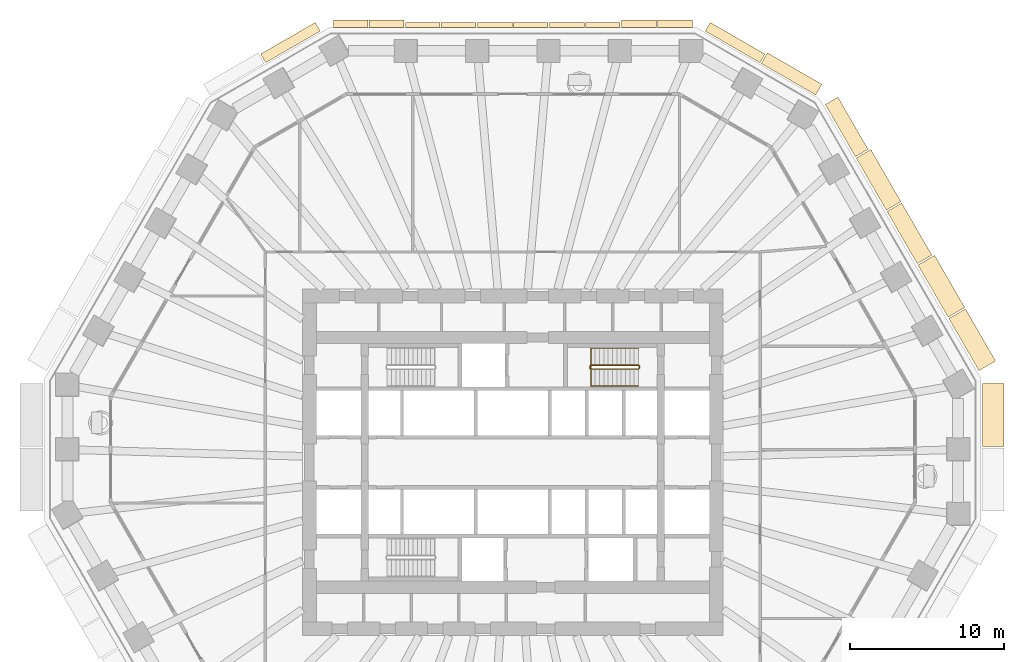
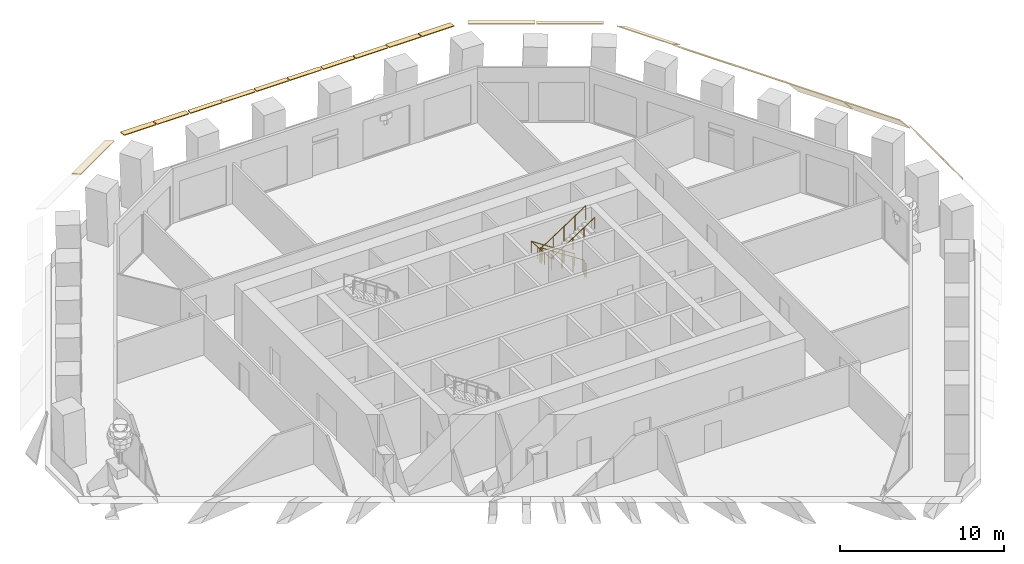
# One storey, part 10 of 12: 19 coverings, 2 railings.
"""IFC4 building model written with IfcOpenShell, lengths in metres."""

import ifcopenshell
import ifcopenshell.guid

model = None  # the IFC model being written
_history = None  # IfcOwnerHistory: only IFC2X3 demands one
_inside = {}  # id of a spatial element -> (the spatial element, [elements in it])
_under = {}  # id of a project, library or spatial element -> (it, [spatial elements below it])
_declared = {}  # id of a project -> (the project, [libraries it declares])
_typed = {}  # id of a type object -> (the type object, [elements of that type])
_made_of = {}  # id of a material, layer set ... -> (it, [elements and type objects made of it])


def new_model(schema):
    """Start an empty IFC model of exactly this schema.

    Asked for "IFC4X3", IfcOpenShell would pick the latest addendum, in which some entities
    have other attributes; the version numbers below select the first issue.
    IFC2X3 requires an IfcOwnerHistory on every rooted entity: one is made here for all.
    """
    global model, _history
    if schema == "IFC4X3":
        model = ifcopenshell.file(schema_version=(4, 3, 0, 0))
    else:
        model = ifcopenshell.file(schema=schema)
    _inside.clear()
    _under.clear()
    _declared.clear()
    _typed.clear()
    _made_of.clear()
    _history = None
    if model.schema == "IFC2X3":
        org = make("IfcOrganization", Name="unknown")
        user = make(
            "IfcPersonAndOrganization",
            ThePerson=make("IfcPerson", FamilyName="unknown"),
            TheOrganization=org,
        )
        app = make(
            "IfcApplication",
            ApplicationDeveloper=org,
            Version="unknown",
            ApplicationFullName="unknown",
            ApplicationIdentifier="unknown",
        )
        _history = make(
            "IfcOwnerHistory",
            OwningUser=user,
            OwningApplication=app,
            ChangeAction="ADDED",
            CreationDate=0,
        )
    return model


def make(cls, **values):
    """One entity of the class cls with the attributes given. An attribute that is None is left unset."""
    return model.create_entity(
        cls, **{name: value for name, value in values.items() if value is not None}
    )


def rooted(cls, **values):
    """An entity with a GlobalId (a new one), such as an element, a storey or a relation."""
    return make(cls, GlobalId=ifcopenshell.guid.new(), OwnerHistory=_history, **values)


def si_unit(unit_type, name, prefix=None):
    """IfcSIUnit, for example si_unit("LENGTHUNIT", "METRE", prefix="MILLI")."""
    return make("IfcSIUnit", UnitType=unit_type, Prefix=prefix, Name=name)


def assignment(units):
    """IfcUnitAssignment: the units of a project."""
    return None if units is None else make("IfcUnitAssignment", Units=units)


def point(xyz):
    """IfcCartesianPoint."""
    return None if xyz is None else make("IfcCartesianPoint", Coordinates=xyz)


def direction(xyz):
    """IfcDirection."""
    return None if xyz is None else make("IfcDirection", DirectionRatios=xyz)


def frame(location, z_axis=None, x_axis=None):
    """IfcAxis2Placement3D, a coordinate frame: its origin and axes. An axis left out is left unset."""
    return make(
        "IfcAxis2Placement3D",
        Location=point(location),
        Axis=direction(z_axis),
        RefDirection=direction(x_axis),
    )


def frame_2d(location, x_axis=None):
    """IfcAxis2Placement2D, a coordinate frame in the plane: its origin and x axis."""
    return make(
        "IfcAxis2Placement2D", Location=point(location), RefDirection=direction(x_axis)
    )


def origin():
    """The frame at (0, 0, 0) with its axes left unset."""
    return frame((0.0, 0.0, 0.0))


def origin_2d():
    """The frame at (0, 0) in the plane with its x axis left unset."""
    return frame_2d((0.0, 0.0))


def place(relative_to, where):
    """IfcLocalPlacement: puts the frame where relative to a parent placement (None: the world)."""
    return make(
        "IfcLocalPlacement", PlacementRelTo=relative_to, RelativePlacement=where
    )


def context(
    kind, dimensions, precision=None, world=None, true_north=None, identifier=None
):
    """IfcGeometricRepresentationContext, for example the 3D "Model" context."""
    return make(
        "IfcGeometricRepresentationContext",
        ContextIdentifier=identifier,
        ContextType=kind,
        CoordinateSpaceDimension=dimensions,
        Precision=precision,
        WorldCoordinateSystem=world,
        TrueNorth=true_north,
    )


def subcontext(parent, identifier, kind, view, scale=None):
    """IfcGeometricRepresentationSubContext, for example "Body" below "Model"."""
    return make(
        "IfcGeometricRepresentationSubContext",
        ContextIdentifier=identifier,
        ContextType=kind,
        ParentContext=parent,
        TargetScale=scale,
        TargetView=view,
    )


def project(units=None, contexts=None):
    """IfcProject with its units and contexts."""
    return rooted(
        "IfcProject",
        Name="project",
        RepresentationContexts=contexts,
        UnitsInContext=assignment(units),
    )


def spatial(cls, under=None, at=None, **own):
    """A site, building, storey or space (cls), placed at a placement, below another one or the project."""
    s = rooted(cls, ObjectPlacement=at, **own)
    if under is not None:
        _under.setdefault(under.id(), (under, []))[1].append(s)
    return s


def polyline(points):
    """IfcPolyline through the points."""
    return make("IfcPolyline", Points=[point(p) for p in points])


def profile(cls, at=None, kind="AREA", **sizes):
    """A parametric profile (cls). Its sizes go by their IFC names, for example OverallWidth=200.0."""
    return make(cls, ProfileType=kind, Position=at, **sizes)


def circle(**sizes):
    """IfcCircleProfileDef."""
    return profile("IfcCircleProfileDef", **sizes)


def outline(outer, holes=None, kind="AREA"):
    """IfcArbitraryClosedProfileDef: a profile drawn as a closed curve; with holes, ...WithVoids."""
    if holes is None:
        return make("IfcArbitraryClosedProfileDef", ProfileType=kind, OuterCurve=outer)
    return make(
        "IfcArbitraryProfileDefWithVoids",
        ProfileType=kind,
        OuterCurve=outer,
        InnerCurves=holes,
    )


def extrude(swept, where, along, depth):
    """IfcExtrudedAreaSolid: the profile swept, set in the frame where, extruded along a direction by depth."""
    return make(
        "IfcExtrudedAreaSolid",
        SweptArea=swept,
        Position=where,
        ExtrudedDirection=direction(along),
        Depth=depth,
    )


def shape(context_of_items, identifier, shape_type, items):
    """IfcShapeRepresentation: the items that make up one representation, for example the "Body"."""
    return make(
        "IfcShapeRepresentation",
        ContextOfItems=context_of_items,
        RepresentationIdentifier=identifier,
        RepresentationType=shape_type,
        Items=items,
    )


def material(Name=None, Category=None):
    """IfcMaterial."""
    return make("IfcMaterial", Name=Name, Category=Category)


def layer(
    of_material, thickness, ventilated=None, Name=None, Category=None, Priority=None
):
    """IfcMaterialLayer: one layer of a wall or slab, of a material (None: an air gap)."""
    return make(
        "IfcMaterialLayer",
        Material=of_material,
        LayerThickness=thickness,
        IsVentilated=ventilated,
        Name=Name,
        Category=Category,
        Priority=Priority,
    )


def layer_set(layers, Name=None):
    """IfcMaterialLayerSet."""
    return make("IfcMaterialLayerSet", MaterialLayers=layers, LayerSetName=Name)


def made_of(thing, what):
    """Note that an element or type object is made of a material, layer set ...; save() writes the relation."""
    if what is not None:
        _made_of.setdefault(what.id(), (what, []))[1].append(thing)
    return thing


def type_object(cls, material=None, **own):
    """A type object (cls), such as IfcWallType, which elements share."""
    return made_of(rooted(cls, **own), material)


def element(
    cls,
    number,
    at=None,
    inside=None,
    cuts=None,
    type_object=None,
    material=None,
    context=None,
    identifier="Body",
    shape_type=None,
    held_by="IfcProductDefinitionShape",
    body=None,
    shapes=None,
    **own,
):
    """One element of the class cls, such as IfcWall. Its Tag is "e" and its number.

    at: its placement. inside: the storey or other place that contains it. cuts: it is an
    opening in that element (IfcRelVoidsElement). A single representation is given by context,
    identifier, shape_type and body (its items); several are given by shapes. held_by: the class
    of the entity that holds the representations. save() writes the other relations.
    """
    e = rooted(cls, Tag="e%d" % number, ObjectPlacement=at, **own)
    if body is not None:
        shapes = [shape(context, identifier, shape_type, body)]
    if shapes is not None:
        e.Representation = make(held_by, Representations=shapes)
    if inside is not None:
        _inside.setdefault(inside.id(), (inside, []))[1].append(e)
    if cuts is not None:
        rooted(
            "IfcRelVoidsElement", RelatingBuildingElement=cuts, RelatedOpeningElement=e
        )
    if type_object is not None:
        _typed.setdefault(type_object.id(), (type_object, []))[1].append(e)
    return made_of(e, material)


def aggregate(whole, parts):
    """IfcRelAggregates: a whole, such as a stair, and the parts it consists of."""
    return rooted("IfcRelAggregates", RelatingObject=whole, RelatedObjects=parts)


def save(model, path):
    """Write the relations noted so far, then the file.

    IfcRelAggregates (storeys below a building ...), IfcRelContainedInSpatialStructure (elements
    in a storey), IfcRelDefinesByType, IfcRelAssociatesMaterial and IfcRelDeclares: one each for
    every whole, place, type object, material and project.
    """
    for whole, parts in _under.values():
        aggregate(whole, parts)
    for where, things in _inside.values():
        rooted(
            "IfcRelContainedInSpatialStructure",
            RelatedElements=things,
            RelatingStructure=where,
        )
    for kind, things in _typed.values():
        rooted("IfcRelDefinesByType", RelatedObjects=things, RelatingType=kind)
    for what, things in _made_of.values():
        rooted("IfcRelAssociatesMaterial", RelatedObjects=things, RelatingMaterial=what)
    for by, libraries in _declared.values():
        rooted("IfcRelDeclares", RelatingContext=by, RelatedDefinitions=libraries)
    model.write(path)


model = new_model("IFC4")

# Units and contexts
model_context = context("Model", 3, precision=1e-05, world=origin(), true_north=direction((0.0, 1.0)))
body_context = subcontext(model_context, "Body", "Model", "MODEL_VIEW")
ifc_project = project(units=[si_unit("LENGTHUNIT", "METRE"), si_unit("AREAUNIT", "SQUARE_METRE"), si_unit("VOLUMEUNIT", "CUBIC_METRE"), si_unit("PLANEANGLEUNIT", "RADIAN"), si_unit("MASSUNIT", "GRAM", prefix="KILO")], contexts=[model_context])

# Site, building, storey
site_placement = place(None, origin())
site = spatial("IfcSite", under=ifc_project, at=site_placement, CompositionType="ELEMENT")
building_placement = place(site_placement, origin())
building = spatial("IfcBuilding", under=site, at=building_placement, Name="Frailejon Research Tower", CompositionType="ELEMENT")
storey_placement = place(building_placement, frame((0.0, 0.0, 41.0)))
storey = spatial("IfcBuildingStorey", under=building, at=storey_placement, Name="L09", CompositionType="ELEMENT", Elevation=41.0)

# Coverings
ifc_material_1 = material(Name="Precast concrete C50/60", Category="concrete")
ifc_layer_1 = layer(ifc_material_1, 0.06005859375)
ifc_layer_set_1 = layer_set([ifc_layer_1], Name="Brim blade depth 1100")
covering_type_1 = type_object("IfcCoveringType", Name="Brim blade depth 1100", PredefinedType="CLADDING", material=ifc_layer_set_1)
covering_1_placement = place(storey_placement, frame((24.282958984375, 16.2763671875, 4.25), z_axis=(0.49999743218, -0.866026886311, 0.0), x_axis=(0.866026886311, 0.49999743218, 0.0)))
element("IfcCovering", 1, at=covering_1_placement, inside=storey, type_object=covering_type_1, Name="Brim blade L09", PredefinedType="CLADDING", context=body_context, shape_type="SweptSolid", body=[
    extrude(outline(polyline([(0.0, -0.078369140625), (1.10009765625, -1.001220703125), (1.10009765625, -0.923095703125), (0.0, 0.0), (0.0, -0.078369140625)])), origin(), (0.0, 0.0, 1.0), 3.908447265625),
])
covering_2_placement = place(storey_placement, frame((22.27880859375, 19.747802734375, 4.25), z_axis=(0.500008235109, -0.86602064919, 0.0), x_axis=(0.86602064919, 0.500008235109, 0.0)))
element("IfcCovering", 2, at=covering_2_placement, inside=storey, type_object=covering_type_1, Name="Brim blade L09", PredefinedType="CLADDING", context=body_context, shape_type="SweptSolid", body=[
    extrude(outline(polyline([(0.0, -0.078369140625), (1.10009765625, -1.001220703125), (1.10009765625, -0.923095703125), (0.0, 0.0), (0.0, -0.078369140625)])), origin(), (0.0, 0.0, 1.0), 3.908203125),
])
ifc_material_2 = material(Name="Precast concrete C50/60", Category="concrete")
ifc_layer_2 = layer(ifc_material_2, 0.06005859375)
ifc_layer_set_2 = layer_set([ifc_layer_2], Name="Brim blade depth 1250")
covering_type_2 = type_object("IfcCoveringType", Name="Brim blade depth 1250", PredefinedType="CLADDING", material=ifc_layer_set_2)
for number, where, z_axis, x_axis, name in (
    (3, (28.29150390625, 9.33349609375, 4.25), (0.49999743218, -0.866026886311, 0.0), (0.866026886311, 0.49999743218, 0.0), "Brim blade L09"),
    (4, (26.287109375, 12.804931640625, 4.25), (0.49999743218, -0.866026886311, 0.0), (0.866026886311, 0.49999743218, 0.0), "Brim blade L09"),
):
    element("IfcCovering", number, at=place(storey_placement, frame(where, z_axis=z_axis, x_axis=x_axis)), inside=storey, type_object=covering_type_2, Name=name, PredefinedType="CLADDING", context=body_context, shape_type="SweptSolid", body=[
        extrude(outline(polyline([(0.0, -0.0888671875), (1.25, -1.452880859375), (1.25, -1.364013671875), (0.0, 0.0), (0.0, -0.0888671875)])), origin(), (0.0, 0.0, 1.0), 3.908447265625),
    ])
ifc_material_3 = material(Name="Precast concrete C50/60", Category="concrete")
ifc_layer_3 = layer(ifc_material_3, 0.06005859375)
ifc_layer_set_3 = layer_set([ifc_layer_3], Name="Brim blade depth 1400")
covering_type_3 = type_object("IfcCoveringType", Name="Brim blade depth 1400", PredefinedType="CLADDING", material=ifc_layer_set_3)
covering_3_placement = place(storey_placement, frame((30.4716796875, 5.10546875, 4.25), z_axis=(0.0, -1.0, 0.0), x_axis=(1.0, 0.0, 0.0)))
element("IfcCovering", 5, at=covering_3_placement, inside=storey, type_object=covering_type_3, Name="Brim blade L09", PredefinedType="CLADDING", context=body_context, shape_type="SweptSolid", body=[
    extrude(outline(polyline([(0.0, -0.1044921875), (1.39990234375, -2.10400390625), (1.39990234375, -1.99951171875), (0.0, 0.0), (0.0, -0.1044921875)])), origin(), (0.0, 0.0, 1.0), 4.087646484375),
])
ifc_material_4 = material(Name="Precast concrete C50/60", Category="concrete")
ifc_layer_4 = layer(ifc_material_4, 0.06005859375)
ifc_layer_set_4 = layer_set([ifc_layer_4], Name="Brim blade depth 350")
covering_type_4 = type_object("IfcCoveringType", Name="Brim blade depth 350", PredefinedType="CLADDING", material=ifc_layer_set_4)
for number, where, z_axis, x_axis, name in (
    (6, (4.708984375, 28.199951171875, 4.25), (1.0, 0.0, 0.0), (0.0, 1.0, 0.0), "Brim blade L09"),
    (7, (2.389404296875, 28.199951171875, 4.25), (1.0, 0.0, 0.0), (0.0, 1.0, 0.0), "Brim blade L09"),
    (8, (0.030029296875, 28.199951171875, 4.25), (1.0, 0.0, 0.0), (0.0, 1.0, 0.0), "Brim blade L09"),
    (9, (-2.28955078125, 28.199951171875, 4.25), (1.0, 0.0, 0.0), (0.0, 1.0, 0.0), "Brim blade L09"),
    (10, (-4.64892578125, 28.199951171875, 4.25), (1.0, 0.0, 0.0), (0.0, 1.0, 0.0), "Brim blade L09"),
    (11, (-6.968505859375, 28.199951171875, 4.25), (1.0, 0.0, 0.0), (0.0, 1.0, 0.0), "Brim blade L09"),
):
    element("IfcCovering", number, at=place(storey_placement, frame(where, z_axis=z_axis, x_axis=x_axis)), inside=storey, type_object=covering_type_4, Name=name, PredefinedType="CLADDING", context=body_context, shape_type="SweptSolid", body=[
        extrude(outline(polyline([(0.0, -0.06005859375), (0.35009765625, -0.06005859375), (0.35009765625, 0.0), (0.0, 0.0), (0.0, -0.06005859375)])), origin(), (0.0, 0.0, 1.0), 2.259521484375),
    ])
ifc_material_5 = material(Name="Precast concrete C50/60", Category="concrete")
ifc_layer_5 = layer(ifc_material_5, 0.06005859375)
ifc_layer_set_5 = layer_set([ifc_layer_5], Name="Brim blade depth 500")
covering_type_5 = type_object("IfcCoveringType", Name="Brim blade depth 500", PredefinedType="CLADDING", material=ifc_layer_set_5)
for number, where, z_axis, x_axis, name in (
    (12, (9.387939453125, 28.199951171875, 4.25), (1.0, 0.0, 0.0), (0.0, 1.0, 0.0), "Brim blade L09"),
    (13, (7.068603515625, 28.199951171875, 4.25), (1.0, 0.0, 0.0), (0.0, 1.0, 0.0), "Brim blade L09"),
    (14, (-9.327880859375, 28.199951171875, 4.25), (1.0, 0.0, 0.0), (0.0, 1.0, 0.0), "Brim blade L09"),
    (15, (-11.6474609375, 28.199951171875, 4.25), (1.0, 0.0, 0.0), (0.0, 1.0, 0.0), "Brim blade L09"),
):
    element("IfcCovering", number, at=place(storey_placement, frame(where, z_axis=z_axis, x_axis=x_axis)), inside=storey, type_object=covering_type_5, Name=name, PredefinedType="CLADDING", context=body_context, shape_type="SweptSolid", body=[
        extrude(outline(polyline([(0.0, -0.060546875), (0.5, -0.130859375), (0.5, -0.0703125), (0.0, 0.0), (0.0, -0.060546875)])), origin(), (0.0, 0.0, 1.0), 2.259521484375),
    ])
ifc_material_6 = material(Name="Precast concrete C50/60", Category="concrete")
ifc_layer_6 = layer(ifc_material_6, 0.06005859375)
ifc_layer_set_6 = layer_set([ifc_layer_6], Name="Brim blade depth 650")
covering_type_6 = type_object("IfcCoveringType", Name="Brim blade depth 650", PredefinedType="CLADDING", material=ifc_layer_set_6)
for number, where, z_axis, x_axis, name in (
    (16, (12.49072265625, 27.97412109375, 4.25), (0.866027315287, -0.499996689166, 0.0), (0.499996689166, 0.866027315287, 0.0), "Brim blade L09"),
    (17, (-16.03076171875, 25.93017578125, 4.25), (0.866027315287, 0.499996689166, 0.0), (-0.499996689166, 0.866027315287, 0.0), "Brim blade L09"),
):
    element("IfcCovering", number, at=place(storey_placement, frame(where, z_axis=z_axis, x_axis=x_axis)), inside=storey, type_object=covering_type_6, Name=name, PredefinedType="CLADDING", context=body_context, shape_type="SweptSolid", body=[
        extrude(outline(polyline([(0.0, -0.0625), (0.64990234375, -0.248779296875), (0.64990234375, -0.186279296875), (0.0, 0.0), (0.0, -0.0625)])), origin(), (0.0, 0.0, 1.0), 4.087646484375),
    ])
ifc_material_7 = material(Name="Precast concrete C50/60", Category="concrete")
ifc_layer_7 = layer(ifc_material_7, 0.06005859375)
ifc_layer_set_7 = layer_set([ifc_layer_7], Name="Brim blade depth 800")
covering_type_7 = type_object("IfcCoveringType", Name="Brim blade depth 800", PredefinedType="CLADDING", material=ifc_layer_set_7)
covering_4_placement = place(storey_placement, frame((16.117431640625, 25.880126953125, 4.25), z_axis=(0.866021344981, -0.500007029989, 0.0), x_axis=(0.500007029989, 0.866021344981, 0.0)))
element("IfcCovering", 18, at=covering_4_placement, inside=storey, type_object=covering_type_7, Name="Brim blade L09", PredefinedType="CLADDING", context=body_context, shape_type="SweptSolid", body=[
    extrude(outline(polyline([(0.0, -0.065673828125), (0.800048828125, -0.421875), (0.800048828125, -0.356201171875), (0.0, 0.0), (0.0, -0.065673828125)])), origin(), (0.0, 0.0, 1.0), 4.08740234375),
])
ifc_material_8 = material(Name="Precast concrete C50/60", Category="concrete")
ifc_layer_8 = layer(ifc_material_8, 0.06005859375)
ifc_layer_set_8 = layer_set([ifc_layer_8], Name="Brim blade depth 950")
covering_type_8 = type_object("IfcCoveringType", Name="Brim blade depth 950", PredefinedType="CLADDING", material=ifc_layer_set_8)
covering_5_placement = place(storey_placement, frame((20.274658203125, 23.218994140625, 4.25), z_axis=(0.49999743218, -0.866026886311, 0.0), x_axis=(0.866026886311, 0.49999743218, 0.0)))
element("IfcCovering", 19, at=covering_5_placement, inside=storey, type_object=covering_type_8, Name="Brim blade L09", PredefinedType="CLADDING", context=body_context, shape_type="SweptSolid", body=[
    extrude(outline(polyline([(0.0, -0.07080078125), (0.949951171875, -0.664306640625), (0.949951171875, -0.593505859375), (0.0, 0.0), (0.0, -0.07080078125)])), origin(), (0.0, 0.0, 1.0), 3.908447265625),
])

# Railings
ifc_material_9 = material(Name="Stainless steel", Category="steel")
railing_type_1 = type_object("IfcRailingType", Name="Stair guard 1100", PredefinedType="GUARDRAIL", material=ifc_material_9)
railing_1_placement = place(storey_placement, frame((8.199951171875, 6.10009765625, 0.0)))
element("IfcRailing", 20, at=railing_1_placement, inside=storey, type_object=railing_type_1, Name="L09 ST3 stair guard 1", PredefinedType="GUARDRAIL", context=body_context, shape_type="SweptSolid", body=[
    extrude(circle(Radius=0.02392578125, at=origin_2d()), frame((0.0, 0.0, 1.076171875), z_axis=(0.0, 1.0, 0.0), x_axis=(-1.0, 0.0, 0.0)), (0.0, 0.0, 1.0), 0.14990234375),
    extrude(circle(Radius=0.02392578125, at=origin_2d()), frame((0.0, 0.14990234375, 1.076171875), z_axis=(-0.254653276557, 0.254653276557, 0.932900539971), x_axis=(-0.707106781187, -0.707106781187, 0.0)), (0.0, 0.0, 1.0), 0.196533203125),
    extrude(circle(Radius=0.02392578125, at=origin_2d()), frame((-0.050048828125, 0.199951171875, 1.25927734375), z_axis=(-0.836613101238, 0.0, 0.547794230379), x_axis=(0.0, -1.0, 0.0)), (0.0, 0.0, 1.0), 3.681396484375),
    extrude(circle(Radius=0.02392578125, at=origin_2d()), frame((-3.1298828125, 0.199951171875, 3.27587890625), z_axis=(-0.707106781187, -0.707106781187, 0.0), x_axis=(0.707106781187, -0.707106781187, 0.0)), (0.0, 0.0, 1.0), 0.07080078125),
    extrude(circle(Radius=0.02392578125, at=origin_2d()), frame((-3.179931640625, 0.14990234375, 3.27587890625), z_axis=(0.0, -1.0, 0.0), x_axis=(1.0, 0.0, 0.0)), (0.0, 0.0, 1.0), 0.14990234375),
    extrude(circle(Radius=0.02392578125, at=origin_2d()), frame((-3.179931640625, 0.0, 3.27587890625), z_axis=(0.254653276557, -0.254653276557, 0.932900539971), x_axis=(0.707106781187, 0.707106781187, 0.0)), (0.0, 0.0, 1.0), 0.196533203125),
    extrude(circle(Radius=0.02392578125, at=origin_2d()), frame((-3.1298828125, -0.050048828125, 3.45947265625), z_axis=(0.836613101238, 0.0, 0.547794230379), x_axis=(0.0, 1.0, 0.0)), (0.0, 0.0, 1.0), 3.681396484375),
    extrude(circle(Radius=0.02099609375, at=origin_2d()), origin(), (0.0, 0.0, 1.0), 1.052001953125),
    extrude(circle(Radius=0.02099609375, at=origin_2d()), frame((0.0, 0.14990234375, 0.0)), (0.0, 0.0, 1.0), 1.052001953125),
    extrude(circle(Radius=0.02099609375, at=origin_2d()), frame((-0.050048828125, 0.199951171875, 0.183349609375)), (0.0, 0.0, 1.0), 1.052001953125),
    extrude(circle(Radius=0.02099609375, at=origin_2d()), frame((-0.820068359375, 0.199951171875, 0.6875)), (0.0, 0.0, 1.0), 1.052001953125),
    extrude(circle(Radius=0.02099609375, at=origin_2d()), frame((-1.58984375, 0.199951171875, 1.191650390625)), (0.0, 0.0, 1.0), 1.052001953125),
    extrude(circle(Radius=0.02099609375, at=origin_2d()), frame((-2.35986328125, 0.199951171875, 1.69580078125)), (0.0, 0.0, 1.0), 1.052001953125),
    extrude(circle(Radius=0.02099609375, at=origin_2d()), frame((-3.1298828125, 0.199951171875, 2.199951171875)), (0.0, 0.0, 1.0), 1.052001953125),
    extrude(circle(Radius=0.02099609375, at=origin_2d()), frame((-3.179931640625, 0.14990234375, 2.199951171875)), (0.0, 0.0, 1.0), 1.052001953125),
    extrude(circle(Radius=0.02099609375, at=origin_2d()), frame((-3.179931640625, 0.0, 2.199951171875)), (0.0, 0.0, 1.0), 1.052001953125),
    extrude(circle(Radius=0.02099609375, at=origin_2d()), frame((-3.1298828125, -0.050048828125, 2.38330078125)), (0.0, 0.0, 1.0), 1.052001953125),
    extrude(circle(Radius=0.02099609375, at=origin_2d()), frame((-2.35986328125, -0.050048828125, 2.887451171875)), (0.0, 0.0, 1.0), 1.052001953125),
    extrude(circle(Radius=0.02099609375, at=origin_2d()), frame((-1.58984375, -0.050048828125, 3.3916015625)), (0.0, 0.0, 1.0), 1.052001953125),
    extrude(circle(Radius=0.02099609375, at=origin_2d()), frame((-0.820068359375, -0.050048828125, 3.895751953125)), (0.0, 0.0, 1.0), 1.052001953125),
    extrude(circle(Radius=0.02099609375, at=origin_2d()), frame((-0.050048828125, -0.050048828125, 4.39990234375)), (0.0, 0.0, 1.0), 1.052001953125),
])
ifc_material_10 = material(Name="Stainless steel", Category="steel")
railing_type_2 = type_object("IfcRailingType", Name="Stair handrail 900", PredefinedType="HANDRAIL", material=ifc_material_10)
railing_2_placement = place(storey_placement, frame((8.14990234375, 7.39990234375, 0.183349609375)))
element("IfcRailing", 21, at=railing_2_placement, inside=storey, type_object=railing_type_2, Name="L09 ST3 stair handrail 1", PredefinedType="HANDRAIL", context=body_context, shape_type="SweptSolid", body=[
    extrude(circle(Radius=0.02392578125, at=origin_2d()), frame((0.0, 0.0, 0.8759765625), z_axis=(-0.836613101238, 0.0, 0.547794230379), x_axis=(0.0, -1.0, 0.0)), (0.0, 0.0, 1.0), 3.681396484375),
    extrude(circle(Radius=0.02392578125, at=origin_2d()), frame((-3.079833984375, 0.0, 2.892578125), z_axis=(0.0, -0.99721134034, 0.074629368868), x_axis=(1.0, 0.0, 0.0)), (0.0, 0.0, 1.0), 2.456787109375),
    extrude(circle(Radius=0.02392578125, at=origin_2d()), frame((-3.079833984375, -2.449951171875, 3.07568359375), z_axis=(0.836613101238, 0.0, 0.547794230379), x_axis=(0.0, 1.0, 0.0)), (0.0, 0.0, 1.0), 3.681396484375),
    extrude(circle(Radius=0.02099609375, at=origin_2d()), origin(), (0.0, 0.0, 1.0), 0.851806640625),
    extrude(circle(Radius=0.02099609375, at=origin_2d()), frame((-0.77001953125, 0.0, 0.504150390625)), (0.0, 0.0, 1.0), 0.851806640625),
    extrude(circle(Radius=0.02099609375, at=origin_2d()), frame((-1.5400390625, 0.0, 1.00830078125)), (0.0, 0.0, 1.0), 0.851806640625),
    extrude(circle(Radius=0.02099609375, at=origin_2d()), frame((-2.309814453125, 0.0, 1.512451171875)), (0.0, 0.0, 1.0), 0.851806640625),
    extrude(circle(Radius=0.02099609375, at=origin_2d()), frame((-3.079833984375, 0.0, 2.0166015625)), (0.0, 0.0, 1.0), 0.851806640625),
    extrude(circle(Radius=0.02099609375, at=origin_2d()), frame((-3.079833984375, -0.816650390625, 2.07763671875)), (0.0, 0.0, 1.0), 0.851806640625),
    extrude(circle(Radius=0.02099609375, at=origin_2d()), frame((-3.079833984375, -1.63330078125, 2.138916015625)), (0.0, 0.0, 1.0), 0.851806640625),
    extrude(circle(Radius=0.02099609375, at=origin_2d()), frame((-3.079833984375, -2.449951171875, 2.199951171875)), (0.0, 0.0, 1.0), 0.851806640625),
    extrude(circle(Radius=0.02099609375, at=origin_2d()), frame((-2.309814453125, -2.449951171875, 2.7041015625)), (0.0, 0.0, 1.0), 0.851806640625),
    extrude(circle(Radius=0.02099609375, at=origin_2d()), frame((-1.5400390625, -2.449951171875, 3.208251953125)), (0.0, 0.0, 1.0), 0.851806640625),
    extrude(circle(Radius=0.02099609375, at=origin_2d()), frame((-0.77001953125, -2.449951171875, 3.71240234375)), (0.0, 0.0, 1.0), 0.851806640625),
    extrude(circle(Radius=0.02099609375, at=origin_2d()), frame((0.0, -2.449951171875, 4.216552734375)), (0.0, 0.0, 1.0), 0.851806640625),
])

save(model, "model.ifc")
